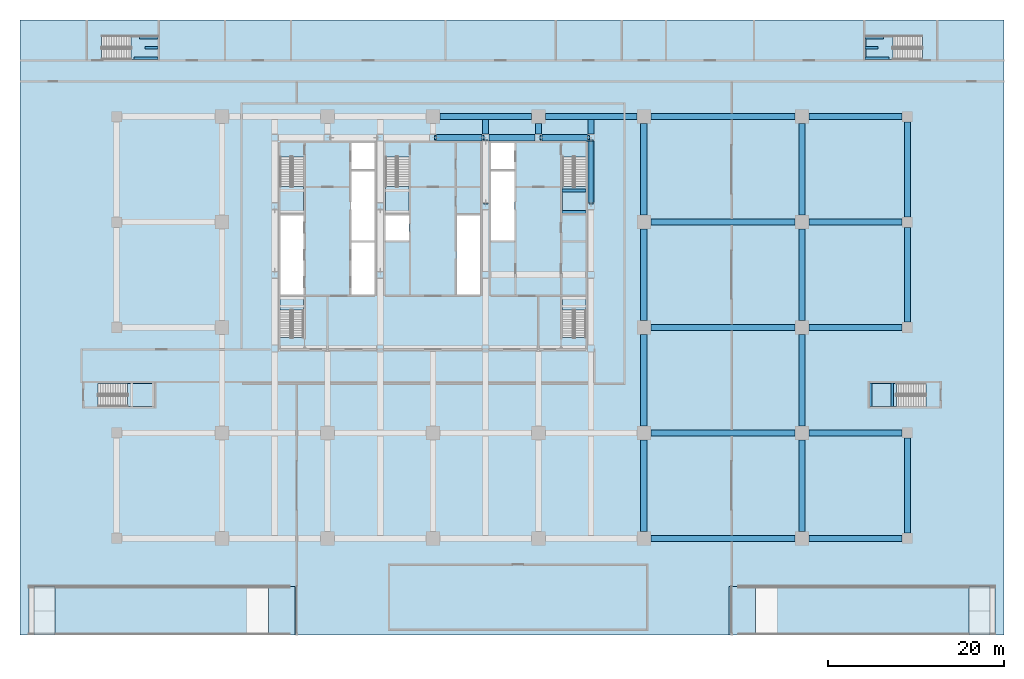
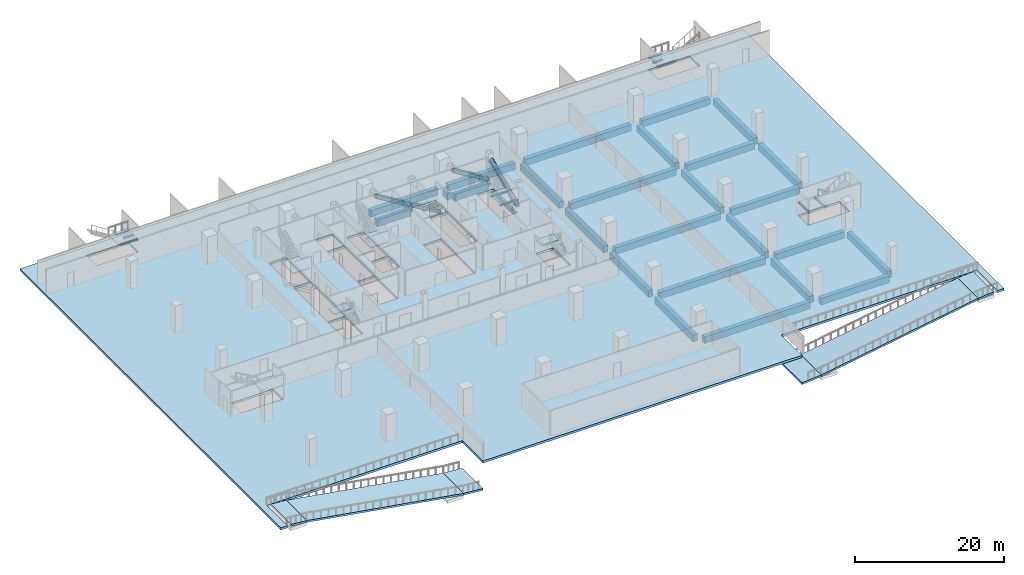
# One storey, part 2 of 15: 40 beams, 16 slabs, 4 members, 11 elements without a shape of their own.
"""IFC4 building model written with IfcOpenShell, lengths in metres."""

from ifc_helpers import new_model, si_unit, direction, frame, origin, origin_2d, place, context, subcontext, project, spatial, polyline, rectangle, hollow_rectangle, outline, extrude, material, layer, layer_set, material_profile, profile_set, type_object, element, aggregate, save


model = new_model("IFC4")

# Units and contexts
model_context = context("Model", 3, precision=1e-05, world=origin(), true_north=direction((0.0, 1.0)))
body_context = subcontext(model_context, "Body", "Model", "MODEL_VIEW")
ifc_project = project(units=[si_unit("LENGTHUNIT", "METRE"), si_unit("AREAUNIT", "SQUARE_METRE"), si_unit("VOLUMEUNIT", "CUBIC_METRE"), si_unit("PLANEANGLEUNIT", "RADIAN"), si_unit("MASSUNIT", "GRAM", prefix="KILO")], contexts=[model_context])

# Site, building, storey
site_placement = place(None, origin())
site = spatial("IfcSite", under=ifc_project, at=site_placement, CompositionType="ELEMENT")
building_placement = place(site_placement, origin())
building = spatial("IfcBuilding", under=site, at=building_placement, Name="Sorahane Residences", CompositionType="ELEMENT")
storey_placement = place(building_placement, frame((0.0, 0.0, -4.5)))
storey = spatial("IfcBuildingStorey", under=building, at=storey_placement, Name="B1", CompositionType="ELEMENT", Elevation=-4.5)

# Members
ifc_material_1 = material(Name="Steel Q355B", Category="steel")
ifc_material_profile_1 = material_profile(ifc_material_1, hollow_rectangle(XDim=0.5, YDim=0.5, WallThickness=0.02490234375, InnerFilletRadius=0.012451171875, OuterFilletRadius=0.03759765625, at=origin_2d()), Name="RHS 500x500x25")
ifc_profile_set_1 = profile_set([ifc_material_profile_1], Name="Steel Q355B")
member_type = type_object("IfcMemberType", Name="Core brace RHS 500x500x25 Q355B", PredefinedType="BRACE", material=ifc_profile_set_1)
for number, where, z_axis, x_axis, name in (
    (1, (29.678466796875, 45.60009765625, 0.201904296875), (-0.852399074137, 0.0, 0.522891784608), (0.0, -1.0, 0.0), "Core brace B1 y45.6-4"),
    (2, (41.678466796875, 45.60009765625, 0.201904296875), (-0.852399074137, 0.0, 0.522891784608), (0.0, -1.0, 0.0), "Core brace B1 y45.6-6"),
):
    element("IfcMember", number, at=place(storey_placement, frame(where, z_axis=z_axis, x_axis=x_axis)), inside=storey, type_object=member_type, Name=name, PredefinedType="BRACE", context=body_context, shape_type="SweptSolid", body=[
        extrude(hollow_rectangle(XDim=0.5, YDim=0.5, WallThickness=0.02490234375, InnerFilletRadius=0.012451171875, OuterFilletRadius=0.03759765625, at=origin_2d()), origin(), (0.0, 0.0, 1.0), 6.284423828125),
    ])
for number, where, z_axis, x_axis, name in (
    (3, (42.0, 38.1376953125, 0.2216796875), (0.0, 0.909973079674, 0.414667329638), (-1.0, 0.0, 0.0), "Core brace B1 x42-3"),
    (4, (30.0, 45.26220703125, 0.2216796875), (0.0, -0.909973079674, 0.414667329638), (1.0, 0.0, 0.0), "Core brace B1 x30-2"),
):
    element("IfcMember", number, at=place(storey_placement, frame(where, z_axis=z_axis, x_axis=x_axis)), inside=storey, type_object=member_type, Name=name, PredefinedType="BRACE", context=body_context, shape_type="SweptSolid", body=[
        extrude(hollow_rectangle(XDim=0.5, YDim=0.5, WallThickness=0.02490234375, InnerFilletRadius=0.012451171875, OuterFilletRadius=0.03759765625, at=origin_2d()), origin(), (0.0, 0.0, 1.0), 7.829345703125),
    ])

# Beams
ifc_material_2 = material(Name="Concrete C40", Category="concrete")
ifc_material_profile_2 = material_profile(ifc_material_2, rectangle(XDim=0.699951171875, YDim=1.10009765625, at=origin_2d()), Name="700x1100")
ifc_profile_set_2 = profile_set([ifc_material_profile_2], Name="Concrete C40")
beam_type_1 = type_object("IfcBeamType", Name="RC beam 700 x 1100 Concrete C40", PredefinedType="BEAM", material=ifc_profile_set_2)
beam_1_placement = place(storey_placement, frame((48.800048828125, 0.0, -0.909912109375), z_axis=(1.0, 0.0, 0.0), x_axis=(0.0, 1.0, 0.0)))
element("IfcBeam", 5, at=beam_1_placement, inside=storey, type_object=beam_type_1, Name="Beam B1 005", PredefinedType="BEAM", context=body_context, shape_type="SweptSolid", body=[
    extrude(rectangle(XDim=0.699951171875, YDim=1.10009765625, at=origin_2d()), origin(), (0.0, 0.0, 1.0), 16.39990234375),
])
beam_2_placement = place(storey_placement, frame((66.800048828125, 0.0, -0.909912109375), z_axis=(1.0, 0.0, 0.0), x_axis=(0.0, 1.0, 0.0)))
element("IfcBeam", 6, at=beam_2_placement, inside=storey, type_object=beam_type_1, Name="Beam B1 006", PredefinedType="BEAM", context=body_context, shape_type="SweptSolid", body=[
    extrude(rectangle(XDim=0.699951171875, YDim=1.10009765625, at=origin_2d()), origin(), (0.0, 0.0, 1.0), 10.599853515625),
])
beam_3_placement = place(storey_placement, frame((48.800048828125, 12.0, -0.909912109375), z_axis=(1.0, 0.0, 0.0), x_axis=(0.0, 1.0, 0.0)))
element("IfcBeam", 7, at=beam_3_placement, inside=storey, type_object=beam_type_1, Name="Beam B1 012", PredefinedType="BEAM", context=body_context, shape_type="SweptSolid", body=[
    extrude(rectangle(XDim=0.699951171875, YDim=1.10009765625, at=origin_2d()), origin(), (0.0, 0.0, 1.0), 16.39990234375),
])
beam_4_placement = place(storey_placement, frame((66.800048828125, 12.0, -0.909912109375), z_axis=(1.0, 0.0, 0.0), x_axis=(0.0, 1.0, 0.0)))
element("IfcBeam", 8, at=beam_4_placement, inside=storey, type_object=beam_type_1, Name="Beam B1 013", PredefinedType="BEAM", context=body_context, shape_type="SweptSolid", body=[
    extrude(rectangle(XDim=0.699951171875, YDim=1.10009765625, at=origin_2d()), origin(), (0.0, 0.0, 1.0), 10.599853515625),
])
beam_5_placement = place(storey_placement, frame((48.800048828125, 24.0, -0.909912109375), z_axis=(1.0, 0.0, 0.0), x_axis=(0.0, 1.0, 0.0)))
element("IfcBeam", 9, at=beam_5_placement, inside=storey, type_object=beam_type_1, Name="Beam B1 015", PredefinedType="BEAM", context=body_context, shape_type="SweptSolid", body=[
    extrude(rectangle(XDim=0.699951171875, YDim=1.10009765625, at=origin_2d()), origin(), (0.0, 0.0, 1.0), 16.39990234375),
])
beam_6_placement = place(storey_placement, frame((66.800048828125, 24.0, -0.909912109375), z_axis=(1.0, 0.0, 0.0), x_axis=(0.0, 1.0, 0.0)))
element("IfcBeam", 10, at=beam_6_placement, inside=storey, type_object=beam_type_1, Name="Beam B1 016", PredefinedType="BEAM", context=body_context, shape_type="SweptSolid", body=[
    extrude(rectangle(XDim=0.699951171875, YDim=1.10009765625, at=origin_2d()), origin(), (0.0, 0.0, 1.0), 10.599853515625),
])
beam_7_placement = place(storey_placement, frame((48.800048828125, 36.0, -0.909912109375), z_axis=(1.0, 0.0, 0.0), x_axis=(0.0, 1.0, 0.0)))
element("IfcBeam", 11, at=beam_7_placement, inside=storey, type_object=beam_type_1, Name="Beam B1 018", PredefinedType="BEAM", context=body_context, shape_type="SweptSolid", body=[
    extrude(rectangle(XDim=0.699951171875, YDim=1.10009765625, at=origin_2d()), origin(), (0.0, 0.0, 1.0), 16.39990234375),
])
beam_8_placement = place(storey_placement, frame((66.800048828125, 36.0, -0.909912109375), z_axis=(1.0, 0.0, 0.0), x_axis=(0.0, 1.0, 0.0)))
element("IfcBeam", 12, at=beam_8_placement, inside=storey, type_object=beam_type_1, Name="Beam B1 019", PredefinedType="BEAM", context=body_context, shape_type="SweptSolid", body=[
    extrude(rectangle(XDim=0.699951171875, YDim=1.10009765625, at=origin_2d()), origin(), (0.0, 0.0, 1.0), 10.599853515625),
])
for number, where, z_axis, x_axis, name in (
    (13, (24.800048828125, 48.0, -0.909912109375), (1.0, 0.0, 0.0), (0.0, 1.0, 0.0), "Beam B1 023"),
    (14, (36.800048828125, 48.0, -0.909912109375), (1.0, 0.0, 0.0), (0.0, 1.0, 0.0), "Beam B1 024"),
):
    element("IfcBeam", number, at=place(storey_placement, frame(where, z_axis=z_axis, x_axis=x_axis)), inside=storey, type_object=beam_type_1, Name=name, PredefinedType="BEAM", context=body_context, shape_type="SweptSolid", body=[
        extrude(rectangle(XDim=0.699951171875, YDim=1.10009765625, at=origin_2d()), origin(), (0.0, 0.0, 1.0), 10.39990234375),
    ])
beam_9_placement = place(storey_placement, frame((48.800048828125, 48.0, -0.909912109375), z_axis=(1.0, 0.0, 0.0), x_axis=(0.0, 1.0, 0.0)))
element("IfcBeam", 15, at=beam_9_placement, inside=storey, type_object=beam_type_1, Name="Beam B1 025", PredefinedType="BEAM", context=body_context, shape_type="SweptSolid", body=[
    extrude(rectangle(XDim=0.699951171875, YDim=1.10009765625, at=origin_2d()), origin(), (0.0, 0.0, 1.0), 16.39990234375),
])
beam_10_placement = place(storey_placement, frame((66.800048828125, 48.0, -0.909912109375), z_axis=(1.0, 0.0, 0.0), x_axis=(0.0, 1.0, 0.0)))
element("IfcBeam", 16, at=beam_10_placement, inside=storey, type_object=beam_type_1, Name="Beam B1 026", PredefinedType="BEAM", context=body_context, shape_type="SweptSolid", body=[
    extrude(rectangle(XDim=0.699951171875, YDim=1.10009765625, at=origin_2d()), origin(), (0.0, 0.0, 1.0), 10.599853515625),
])
for number, where, z_axis, x_axis, name in (
    (17, (24.39990234375, 45.60009765625, -0.909912109375), (1.0, 0.0, 0.0), (0.0, 1.0, 0.0), "Beam B1 034"),
    (18, (30.39990234375, 45.60009765625, -0.909912109375), (1.0, 0.0, 0.0), (0.0, 1.0, 0.0), "Beam B1 035"),
    (19, (36.39990234375, 45.60009765625, -0.909912109375), (1.0, 0.0, 0.0), (0.0, 1.0, 0.0), "Beam B1 036"),
):
    element("IfcBeam", number, at=place(storey_placement, frame(where, z_axis=z_axis, x_axis=x_axis)), inside=storey, type_object=beam_type_1, Name=name, PredefinedType="BEAM", context=body_context, shape_type="SweptSolid", body=[
        extrude(rectangle(XDim=0.699951171875, YDim=1.10009765625, at=origin_2d()), origin(), (0.0, 0.0, 1.0), 5.2001953125),
    ])
beam_11_placement = place(storey_placement, frame((36.0, 46.0, -0.909912109375), z_axis=(0.0, 1.0, 0.0), x_axis=(-1.0, 0.0, 0.0)))
element("IfcBeam", 20, at=beam_11_placement, inside=storey, type_object=beam_type_1, Name="Beam B1 052", PredefinedType="BEAM", context=body_context, shape_type="SweptSolid", body=[
    extrude(rectangle(XDim=0.699951171875, YDim=1.10009765625, at=origin_2d()), origin(), (0.0, 0.0, 1.0), 1.199951171875),
])
for number, where, z_axis, x_axis, name in (
    (21, (48.0, 0.800048828125, -0.909912109375), (0.0, 1.0, 0.0), (-1.0, 0.0, 0.0), "Beam B1 053"),
    (22, (48.0, 12.800048828125, -0.909912109375), (0.0, 1.0, 0.0), (-1.0, 0.0, 0.0), "Beam B1 054"),
    (23, (48.0, 24.800048828125, -0.909912109375), (0.0, 1.0, 0.0), (-1.0, 0.0, 0.0), "Beam B1 055"),
    (24, (48.0, 36.800048828125, -0.909912109375), (0.0, 1.0, 0.0), (-1.0, 0.0, 0.0), "Beam B1 056"),
    (25, (66.0, 0.800048828125, -0.909912109375), (0.0, 1.0, 0.0), (-1.0, 0.0, 0.0), "Beam B1 057"),
    (26, (66.0, 12.800048828125, -0.909912109375), (0.0, 1.0, 0.0), (-1.0, 0.0, 0.0), "Beam B1 058"),
    (27, (66.0, 24.800048828125, -0.909912109375), (0.0, 1.0, 0.0), (-1.0, 0.0, 0.0), "Beam B1 059"),
    (28, (66.0, 36.800048828125, -0.909912109375), (0.0, 1.0, 0.0), (-1.0, 0.0, 0.0), "Beam B1 060"),
):
    element("IfcBeam", number, at=place(storey_placement, frame(where, z_axis=z_axis, x_axis=x_axis)), inside=storey, type_object=beam_type_1, Name=name, PredefinedType="BEAM", context=body_context, shape_type="SweptSolid", body=[
        extrude(rectangle(XDim=0.699951171875, YDim=1.10009765625, at=origin_2d()), origin(), (0.0, 0.0, 1.0), 10.39990234375),
    ])
for number, where, z_axis, x_axis, name in (
    (29, (78.0, 0.60009765625, -0.909912109375), (0.0, 1.0, 0.0), (-1.0, 0.0, 0.0), "Beam B1 061"),
    (30, (78.0, 24.60009765625, -0.909912109375), (0.0, 1.0, 0.0), (-1.0, 0.0, 0.0), "Beam B1 062"),
    (31, (78.0, 36.60009765625, -0.909912109375), (0.0, 1.0, 0.0), (-1.0, 0.0, 0.0), "Beam B1 063"),
):
    element("IfcBeam", number, at=place(storey_placement, frame(where, z_axis=z_axis, x_axis=x_axis)), inside=storey, type_object=beam_type_1, Name=name, PredefinedType="BEAM", context=body_context, shape_type="SweptSolid", body=[
        extrude(rectangle(XDim=0.699951171875, YDim=1.10009765625, at=origin_2d()), origin(), (0.0, 0.0, 1.0), 10.7998046875),
    ])
beam_12_placement = place(storey_placement, frame((30.0, 46.0, -0.909912109375), z_axis=(0.0, 1.0, 0.0), x_axis=(-1.0, 0.0, 0.0)))
element("IfcBeam", 32, at=beam_12_placement, inside=storey, type_object=beam_type_1, Name="Beam B1 081", PredefinedType="BEAM", context=body_context, shape_type="SweptSolid", body=[
    extrude(rectangle(XDim=0.699951171875, YDim=1.10009765625, at=origin_2d()), origin(), (0.0, 0.0, 1.0), 1.64990234375),
])
beam_13_placement = place(storey_placement, frame((42.0, 38.199951171875, -0.909912109375), z_axis=(0.0, 1.0, 0.0), x_axis=(-1.0, 0.0, 0.0)))
element("IfcBeam", 33, at=beam_13_placement, inside=storey, type_object=beam_type_1, Name="Beam B1 086", PredefinedType="BEAM", context=body_context, shape_type="SweptSolid", body=[
    extrude(rectangle(XDim=0.699951171875, YDim=1.10009765625, at=origin_2d()), origin(), (0.0, 0.0, 1.0), 7.0),
])
beam_14_placement = place(storey_placement, frame((42.0, 46.0, -0.909912109375), z_axis=(0.0, 1.0, 0.0), x_axis=(-1.0, 0.0, 0.0)))
element("IfcBeam", 34, at=beam_14_placement, inside=storey, type_object=beam_type_1, Name="Beam B1 087", PredefinedType="BEAM", context=body_context, shape_type="SweptSolid", body=[
    extrude(rectangle(XDim=0.699951171875, YDim=1.10009765625, at=origin_2d()), origin(), (0.0, 0.0, 1.0), 1.64990234375),
])
ifc_material_3 = material(Name="Concrete C40", Category="concrete")
ifc_material_profile_3 = material_profile(ifc_material_3, rectangle(XDim=0.300048828125, YDim=0.139892578125, at=origin_2d()), Name="300x140")
ifc_profile_set_3 = profile_set([ifc_material_profile_3], Name="Concrete C40")
beam_type_2 = type_object("IfcBeamType", Name="RC landing beam 300 x 140 Concrete C40", PredefinedType="BEAM", material=ifc_profile_set_3)
beam_15_placement = place(storey_placement, frame((-7.300048828125, 54.64990234375, 1.97998046875), z_axis=(-1.0, 0.0, 0.0), x_axis=(0.0, -1.0, 0.0)))
element("IfcBeam", 35, at=beam_15_placement, inside=storey, type_object=beam_type_2, Name="Landing beam", PredefinedType="BEAM", context=body_context, shape_type="SweptSolid", body=[
    extrude(rectangle(XDim=0.300048828125, YDim=0.139892578125, at=origin_2d()), origin(), (0.0, 0.0, 1.0), 2.699951171875),
])
beam_16_placement = place(storey_placement, frame((-7.300048828125, 57.0, 1.97998046875), z_axis=(-1.0, 0.0, 0.0), x_axis=(0.0, -1.0, 0.0)))
element("IfcBeam", 36, at=beam_16_placement, inside=storey, type_object=beam_type_2, Name="Landing beam", PredefinedType="BEAM", context=body_context, shape_type="SweptSolid", body=[
    extrude(rectangle(XDim=0.300048828125, YDim=0.139892578125, at=origin_2d()), origin(), (0.0, 0.0, 1.0), 2.10595703125),
])
beam_17_placement = place(storey_placement, frame((-7.300048828125, 55.824951171875, 1.97998046875), z_axis=(-1.0, 0.0, 0.0), x_axis=(0.0, -1.0, 0.0)))
element("IfcBeam", 37, at=beam_17_placement, inside=storey, type_object=beam_type_2, Name="Landing beam", PredefinedType="BEAM", context=body_context, shape_type="SweptSolid", body=[
    extrude(rectangle(XDim=0.300048828125, YDim=0.139892578125, at=origin_2d()), origin(), (0.0, 0.0, 1.0), 1.48486328125),
])
beam_18_placement = place(storey_placement, frame((73.199951171875, 54.64990234375, 1.97998046875), z_axis=(1.0, 0.0, 0.0), x_axis=(0.0, 1.0, 0.0)))
element("IfcBeam", 38, at=beam_18_placement, inside=storey, type_object=beam_type_2, Name="Landing beam", PredefinedType="BEAM", context=body_context, shape_type="SweptSolid", body=[
    extrude(rectangle(XDim=0.300048828125, YDim=0.139892578125, at=origin_2d()), origin(), (0.0, 0.0, 1.0), 2.699951171875),
])
beam_19_placement = place(storey_placement, frame((73.199951171875, 57.0, 1.97998046875), z_axis=(1.0, 0.0, 0.0), x_axis=(0.0, 1.0, 0.0)))
element("IfcBeam", 39, at=beam_19_placement, inside=storey, type_object=beam_type_2, Name="Landing beam", PredefinedType="BEAM", context=body_context, shape_type="SweptSolid", body=[
    extrude(rectangle(XDim=0.300048828125, YDim=0.139892578125, at=origin_2d()), origin(), (0.0, 0.0, 1.0), 2.10595703125),
])
beam_20_placement = place(storey_placement, frame((73.199951171875, 55.824951171875, 1.97998046875), z_axis=(1.0, 0.0, 0.0), x_axis=(0.0, 1.0, 0.0)))
element("IfcBeam", 40, at=beam_20_placement, inside=storey, type_object=beam_type_2, Name="Landing beam", PredefinedType="BEAM", context=body_context, shape_type="SweptSolid", body=[
    extrude(rectangle(XDim=0.300048828125, YDim=0.139892578125, at=origin_2d()), origin(), (0.0, 0.0, 1.0), 1.485107421875),
])
for number, where, z_axis, x_axis, name in (
    (41, (73.85009765625, 15.0, 1.97998046875), (0.0, 1.0, 0.0), (-1.0, 0.0, 0.0), "Landing beam"),
    (42, (76.2900390625, 15.0, 1.97998046875), (0.0, 1.0, 0.0), (-1.0, 0.0, 0.0), "Landing beam"),
    (43, (38.699951171875, 37.14990234375, 1.97998046875), (1.0, 0.0, 0.0), (0.0, 1.0, 0.0), "Landing beam"),
    (44, (38.699951171875, 39.590087890625, 1.97998046875), (1.0, 0.0, 0.0), (0.0, 1.0, 0.0), "Landing beam"),
):
    element("IfcBeam", number, at=place(storey_placement, frame(where, z_axis=z_axis, x_axis=x_axis)), inside=storey, type_object=beam_type_2, Name=name, PredefinedType="BEAM", context=body_context, shape_type="SweptSolid", body=[
        extrude(rectangle(XDim=0.300048828125, YDim=0.139892578125, at=origin_2d()), origin(), (0.0, 0.0, 1.0), 2.699951171875),
    ])

# Slab
ifc_material_4 = material(Name="Concrete C40", Category="concrete")
ifc_layer_1 = layer(ifc_material_4, 0.360107421875)
ifc_layer_set_1 = layer_set([ifc_layer_1], Name="Reinforced concrete floor slab 360 mm Concrete C40")
slab_type_1 = type_object("IfcSlabType", Name="Reinforced concrete floor slab 360 mm Concrete C40", PredefinedType="FLOOR", material=ifc_layer_set_1)
slab_1_placement = place(storey_placement, frame((0.0, 0.0, -0.360107421875)))
element("IfcSlab", 45, at=slab_1_placement, inside=storey, type_object=slab_type_1, Name="Slab B1", PredefinedType="FLOOR", context=body_context, shape_type="SweptSolid", body=[
    extrude(outline(polyline([(-23.0, -11.0), (-23.0, 59.0), (89.0, 59.0), (89.0, -11.0), (88.0, -11.0), (88.0, -5.5), (57.699951171875, -5.5), (57.699951171875, -11.0), (8.300048828125, -11.0), (8.300048828125, -5.5), (-22.0, -5.5), (-22.0, -11.0), (-23.0, -11.0)]), holes=[polyline([(30.60009765625, 42.0), (33.300048828125, 42.0), (33.300048828125, 45.0), (30.60009765625, 45.0), (30.60009765625, 42.0)]), polyline([(14.699951171875, 27.699951171875), (17.39990234375, 27.699951171875), (17.39990234375, 33.699951171875), (14.699951171875, 33.699951171875), (14.699951171875, 27.699951171875)]), polyline([(14.699951171875, 42.0), (17.39990234375, 42.0), (17.39990234375, 45.0), (14.699951171875, 45.0), (14.699951171875, 42.0)]), polyline([(6.60009765625, 27.699951171875), (9.300048828125, 27.699951171875), (9.300048828125, 36.800048828125), (6.60009765625, 36.800048828125), (6.60009765625, 27.699951171875)]), polyline([(6.60009765625, 43.39990234375), (6.60009765625, 37.0), (9.25, 37.0), (9.25, 43.39990234375), (6.60009765625, 43.39990234375)]), polyline([(38.75, 43.39990234375), (38.75, 37.0), (41.39990234375, 37.0), (41.39990234375, 43.39990234375), (38.75, 43.39990234375)]), polyline([(18.60009765625, 43.39990234375), (18.60009765625, 37.0), (21.25, 37.0), (21.25, 43.39990234375), (18.60009765625, 43.39990234375)]), polyline([(9.25, 22.85009765625), (9.25, 27.5), (6.60009765625, 27.5), (6.60009765625, 22.85009765625), (9.25, 22.85009765625)]), polyline([(41.39990234375, 22.85009765625), (41.39990234375, 27.5), (38.75, 27.5), (38.75, 22.85009765625), (41.39990234375, 22.85009765625)]), polyline([(14.699951171875, 33.89990234375), (17.39990234375, 33.89990234375), (17.39990234375, 41.800048828125), (14.699951171875, 41.800048828125), (14.699951171875, 33.89990234375)]), polyline([(30.60009765625, 33.89990234375), (33.300048828125, 33.89990234375), (33.300048828125, 41.800048828125), (30.60009765625, 41.800048828125), (30.60009765625, 33.89990234375)]), polyline([(18.60009765625, 33.89990234375), (21.300048828125, 33.89990234375), (21.300048828125, 36.800048828125), (18.60009765625, 36.800048828125), (18.60009765625, 33.89990234375)]), polyline([(26.699951171875, 27.699951171875), (29.39990234375, 27.699951171875), (29.39990234375, 36.800048828125), (26.699951171875, 36.800048828125), (26.699951171875, 27.699951171875)]), polyline([(-13.699951171875, 54.5), (-7.300048828125, 54.5), (-7.300048828125, 57.14990234375), (-13.699951171875, 57.14990234375), (-13.699951171875, 54.5)]), polyline([(79.699951171875, 57.14990234375), (73.300048828125, 57.14990234375), (73.300048828125, 54.5), (79.699951171875, 54.5), (79.699951171875, 57.14990234375)]), polyline([(-14.10009765625, 15.0), (-7.699951171875, 15.0), (-7.699951171875, 17.64990234375), (-14.10009765625, 17.64990234375), (-14.10009765625, 15.0)]), polyline([(80.10009765625, 17.64990234375), (73.699951171875, 17.64990234375), (73.699951171875, 15.0), (80.10009765625, 15.0), (80.10009765625, 17.64990234375)])]), origin(), (0.0, 0.0, 1.0), 0.360107421875),
])

# Stair, slab
ifc_material_5 = material(Name="Concrete C40", Category="concrete")
stair_type = type_object("IfcStairType", Name="Dog-leg stair 1250 Concrete C40", PredefinedType="HALF_TURN_STAIR", material=ifc_material_5)
stair_1_placement = place(storey_placement, origin())
stair_1 = element("IfcStair", 46, at=stair_1_placement, inside=storey, type_object=stair_type, Name="B1 Stair S1", PredefinedType="HALF_TURN_STAIR")
ifc_material_6 = material(Name="Concrete C40", Category="concrete")
ifc_layer_2 = layer(ifc_material_6, 0.199951171875)
ifc_layer_set_2 = layer_set([ifc_layer_2], Name="Stair landing 200 Concrete C40")
slab_type_2 = type_object("IfcSlabType", Name="Stair landing 200 Concrete C40", PredefinedType="LANDING", material=ifc_layer_set_2)
slab_2_placement = place(storey_placement, frame((0.0, 0.0, 2.050048828125)))
slab_2 = element("IfcSlab", 47, at=slab_2_placement, type_object=slab_type_2, Name="S1 landing 1", PredefinedType="LANDING", context=body_context, shape_type="SweptSolid", body=[
    extrude(outline(polyline([(6.60009765625, 40.0400390625), (6.60009765625, 37.0), (9.25, 37.0), (9.25, 40.0400390625), (6.60009765625, 40.0400390625)])), origin(), (0.0, 0.0, 1.0), 0.199951171875),
])
aggregate(stair_1, [slab_2])

stair_2_placement = place(storey_placement, origin())
stair_2 = element("IfcStair", 48, at=stair_2_placement, inside=storey, type_object=stair_type, Name="B1 Stair S2", PredefinedType="HALF_TURN_STAIR")
slab_3_placement = place(storey_placement, frame((0.0, 0.0, 2.050048828125)))
slab_3 = element("IfcSlab", 49, at=slab_3_placement, type_object=slab_type_2, Name="S2 landing 1", PredefinedType="LANDING", context=body_context, shape_type="SweptSolid", body=[
    extrude(outline(polyline([(38.75, 40.0400390625), (38.75, 37.0), (41.39990234375, 37.0), (41.39990234375, 40.0400390625), (38.75, 40.0400390625)])), origin(), (0.0, 0.0, 1.0), 0.199951171875),
])
aggregate(stair_2, [slab_3])

stair_3_placement = place(storey_placement, origin())
stair_3 = element("IfcStair", 50, at=stair_3_placement, inside=storey, type_object=stair_type, Name="B1 Stair S3", PredefinedType="HALF_TURN_STAIR")
slab_4_placement = place(storey_placement, frame((0.0, 0.0, 2.050048828125)))
slab_4 = element("IfcSlab", 51, at=slab_4_placement, type_object=slab_type_2, Name="S3 landing 1", PredefinedType="LANDING", context=body_context, shape_type="SweptSolid", body=[
    extrude(outline(polyline([(18.60009765625, 40.0400390625), (18.60009765625, 37.0), (21.25, 37.0), (21.25, 40.0400390625), (18.60009765625, 40.0400390625)])), origin(), (0.0, 0.0, 1.0), 0.199951171875),
])
aggregate(stair_3, [slab_4])

stair_4_placement = place(storey_placement, origin())
stair_4 = element("IfcStair", 52, at=stair_4_placement, inside=storey, type_object=stair_type, Name="B1 Stair S4", PredefinedType="HALF_TURN_STAIR")
slab_5_placement = place(storey_placement, frame((0.0, 0.0, 2.050048828125)))
slab_5 = element("IfcSlab", 53, at=slab_5_placement, type_object=slab_type_2, Name="S4 landing 1", PredefinedType="LANDING", context=body_context, shape_type="SweptSolid", body=[
    extrude(outline(polyline([(9.25, 25.969970703125), (9.25, 27.5), (6.60009765625, 27.5), (6.60009765625, 25.969970703125), (9.25, 25.969970703125)])), origin(), (0.0, 0.0, 1.0), 0.199951171875),
])
aggregate(stair_4, [slab_5])

stair_5_placement = place(storey_placement, origin())
stair_5 = element("IfcStair", 54, at=stair_5_placement, inside=storey, type_object=stair_type, Name="B1 Stair S5", PredefinedType="HALF_TURN_STAIR")
slab_6_placement = place(storey_placement, frame((0.0, 0.0, 2.050048828125)))
slab_6 = element("IfcSlab", 55, at=slab_6_placement, type_object=slab_type_2, Name="S5 landing 1", PredefinedType="LANDING", context=body_context, shape_type="SweptSolid", body=[
    extrude(outline(polyline([(41.39990234375, 25.969970703125), (41.39990234375, 27.5), (38.75, 27.5), (38.75, 25.969970703125), (41.39990234375, 25.969970703125)])), origin(), (0.0, 0.0, 1.0), 0.199951171875),
])
aggregate(stair_5, [slab_6])

stair_6_placement = place(storey_placement, origin())
stair_6 = element("IfcStair", 56, at=stair_6_placement, inside=storey, type_object=stair_type, Name="B1 Basement stair BS1", PredefinedType="HALF_TURN_STAIR")
slab_7_placement = place(storey_placement, frame((0.0, 0.0, 2.050048828125)))
slab_7 = element("IfcSlab", 57, at=slab_7_placement, type_object=slab_type_2, Name="BS1 landing 1", PredefinedType="LANDING", context=body_context, shape_type="SweptSolid", body=[
    extrude(outline(polyline([(-10.340087890625, 54.5), (-7.300048828125, 54.5), (-7.300048828125, 57.14990234375), (-10.340087890625, 57.14990234375), (-10.340087890625, 54.5)])), origin(), (0.0, 0.0, 1.0), 0.199951171875),
])
aggregate(stair_6, [slab_7])

stair_7_placement = place(storey_placement, origin())
stair_7 = element("IfcStair", 58, at=stair_7_placement, inside=storey, type_object=stair_type, Name="B1 Basement stair BS2", PredefinedType="HALF_TURN_STAIR")
slab_8_placement = place(storey_placement, frame((0.0, 0.0, 2.050048828125)))
slab_8 = element("IfcSlab", 59, at=slab_8_placement, type_object=slab_type_2, Name="BS2 landing 1", PredefinedType="LANDING", context=body_context, shape_type="SweptSolid", body=[
    extrude(outline(polyline([(76.340087890625, 57.14990234375), (73.300048828125, 57.14990234375), (73.300048828125, 54.5), (76.340087890625, 54.5), (76.340087890625, 57.14990234375)])), origin(), (0.0, 0.0, 1.0), 0.199951171875),
])
aggregate(stair_7, [slab_8])

stair_8_placement = place(storey_placement, origin())
stair_8 = element("IfcStair", 60, at=stair_8_placement, inside=storey, type_object=stair_type, Name="B1 Basement stair BS3", PredefinedType="HALF_TURN_STAIR")
slab_9_placement = place(storey_placement, frame((0.0, 0.0, 2.050048828125)))
slab_9 = element("IfcSlab", 61, at=slab_9_placement, type_object=slab_type_2, Name="BS3 landing 1", PredefinedType="LANDING", context=body_context, shape_type="SweptSolid", body=[
    extrude(outline(polyline([(-10.739990234375, 15.0), (-7.699951171875, 15.0), (-7.699951171875, 17.64990234375), (-10.739990234375, 17.64990234375), (-10.739990234375, 15.0)])), origin(), (0.0, 0.0, 1.0), 0.199951171875),
])
aggregate(stair_8, [slab_9])

stair_9_placement = place(storey_placement, origin())
stair_9 = element("IfcStair", 62, at=stair_9_placement, inside=storey, type_object=stair_type, Name="B1 Basement stair BS4", PredefinedType="HALF_TURN_STAIR")
slab_10_placement = place(storey_placement, frame((0.0, 0.0, 2.050048828125)))
slab_10 = element("IfcSlab", 63, at=slab_10_placement, type_object=slab_type_2, Name="BS4 landing 1", PredefinedType="LANDING", context=body_context, shape_type="SweptSolid", body=[
    extrude(outline(polyline([(76.739990234375, 17.64990234375), (73.699951171875, 17.64990234375), (73.699951171875, 15.0), (76.739990234375, 15.0), (76.739990234375, 17.64990234375)])), origin(), (0.0, 0.0, 1.0), 0.199951171875),
])
aggregate(stair_9, [slab_10])

# Ramp, slabs
ifc_material_7 = material(Name="Concrete C40", Category="concrete")
ifc_layer_3 = layer(ifc_material_7, 0.300048828125)
ifc_layer_set_3 = layer_set([ifc_layer_3], Name="Vehicle ramp 300 Concrete C40")
ramp_type = type_object("IfcRampType", Name="Vehicle ramp 300 Concrete C40", PredefinedType="STRAIGHT_RUN_RAMP", material=ifc_layer_set_3)
ramp_1_placement = place(storey_placement, origin())
ramp_1 = element("IfcRamp", 64, at=ramp_1_placement, inside=storey, type_object=ramp_type, Name="Vehicle ramp W B1 to B2", PredefinedType="STRAIGHT_RUN_RAMP")
ifc_material_8 = material(Name="Concrete C40", Category="concrete")
ifc_layer_4 = layer(ifc_material_8, 0.300048828125)
ifc_layer_set_4 = layer_set([ifc_layer_4], Name="Vehicle ramp slab 300 Concrete C40")
slab_type_3 = type_object("IfcSlabType", Name="Vehicle ramp slab 300 Concrete C40", PredefinedType="USERDEFINED", material=ifc_layer_set_4)
slab_11_placement = place(storey_placement, frame((-21.39990234375, -11.0, 0.0), z_axis=(0.083028700011, 0.0, 0.996547156423), x_axis=(0.996547156423, 0.0, -0.083028700011)))
slab_11 = element("IfcSlab", 65, at=slab_11_placement, type_object=slab_type_3, Name="Ramp slab W B1 1", ObjectType="RAMP", PredefinedType="USERDEFINED", context=body_context, shape_type="SweptSolid", body=[
    extrude(outline(polyline([(0.0, 0.0), (2.408217542223071, 0.0), (2.408217542223071, 5.5), (0.0, 5.5), (0.0, 0.0)])), origin(), (0.0, 0.0, -1.0), 0.300048828125),
])
slab_12_placement = place(storey_placement, frame((-19.0, -11.0, -0.199951171875), z_axis=(0.164400594367, 0.0, 0.986393655987), x_axis=(0.986393655987, 0.0, -0.164400594367)))
slab_12 = element("IfcSlab", 66, at=slab_12_placement, type_object=slab_type_3, Name="Ramp slab W B1 2", ObjectType="RAMP", PredefinedType="USERDEFINED", context=body_context, shape_type="SweptSolid", body=[
    extrude(outline(polyline([(0.0, 0.0), (24.6352444388006, 0.0), (24.6352444388006, 5.499999999999999), (0.0, 5.499999999999999), (0.0, 0.0)])), origin(), (0.0, 0.0, -1.0), 0.300048828125),
])
slab_13_placement = place(storey_placement, frame((5.300048828125, -11.0, -4.25), z_axis=(0.083045479854, 0.0, 0.996545758245), x_axis=(0.996545758245, 0.0, -0.083045479854)))
slab_13 = element("IfcSlab", 67, at=slab_13_placement, type_object=slab_type_3, Name="Ramp slab W B1 3", ObjectType="RAMP", PredefinedType="USERDEFINED", context=body_context, shape_type="SweptSolid", body=[
    extrude(outline(polyline([(0.0, 0.0), (3.010398644698074, 0.0), (3.010398644698074, 5.5), (0.0, 5.5), (0.0, 0.0)])), origin(), (0.0, 0.0, -1.0), 0.300048828125),
])
aggregate(ramp_1, [slab_11, slab_12, slab_13])

ramp_2_placement = place(storey_placement, origin())
ramp_2 = element("IfcRamp", 68, at=ramp_2_placement, inside=storey, type_object=ramp_type, Name="Vehicle ramp E B1 to B2", PredefinedType="STRAIGHT_RUN_RAMP")
slab_14_placement = place(storey_placement, frame((87.39990234375, -11.0, 0.0), z_axis=(-0.083028700011, 0.0, 0.996547156423), x_axis=(-0.996547156423, 0.0, -0.083028700011)))
slab_14 = element("IfcSlab", 69, at=slab_14_placement, type_object=slab_type_3, Name="Ramp slab E B1 1", ObjectType="RAMP", PredefinedType="USERDEFINED", context=body_context, shape_type="SweptSolid", body=[
    extrude(outline(polyline([(0.0, 0.0), (2.408217542223071, 0.0), (2.408217542223071, -5.5), (0.0, -5.5), (0.0, 0.0)])), origin(), (0.0, 0.0, -1.0), 0.300048828125),
])
slab_15_placement = place(storey_placement, frame((85.0, -11.0, -0.199951171875), z_axis=(-0.164400594367, 0.0, 0.986393655987), x_axis=(-0.986393655987, 0.0, -0.164400594367)))
slab_15 = element("IfcSlab", 70, at=slab_15_placement, type_object=slab_type_3, Name="Ramp slab E B1 2", ObjectType="RAMP", PredefinedType="USERDEFINED", context=body_context, shape_type="SweptSolid", body=[
    extrude(outline(polyline([(0.0, 0.0), (24.6352444388006, 0.0), (24.6352444388006, -5.499999999999999), (0.0, -5.499999999999999), (0.0, 0.0)])), origin(), (0.0, 0.0, -1.0), 0.300048828125),
])
slab_16_placement = place(storey_placement, frame((60.699951171875, -11.0, -4.25), z_axis=(-0.083045479854, 0.0, 0.996545758245), x_axis=(-0.996545758245, 0.0, -0.083045479854)))
slab_16 = element("IfcSlab", 71, at=slab_16_placement, type_object=slab_type_3, Name="Ramp slab E B1 3", ObjectType="RAMP", PredefinedType="USERDEFINED", context=body_context, shape_type="SweptSolid", body=[
    extrude(outline(polyline([(0.0, 0.0), (3.010398644698074, 0.0), (3.010398644698074, -5.5), (0.0, -5.5), (0.0, 0.0)])), origin(), (0.0, 0.0, -1.0), 0.300048828125),
])
aggregate(ramp_2, [slab_14, slab_15, slab_16])

save(model, "model.ifc")
